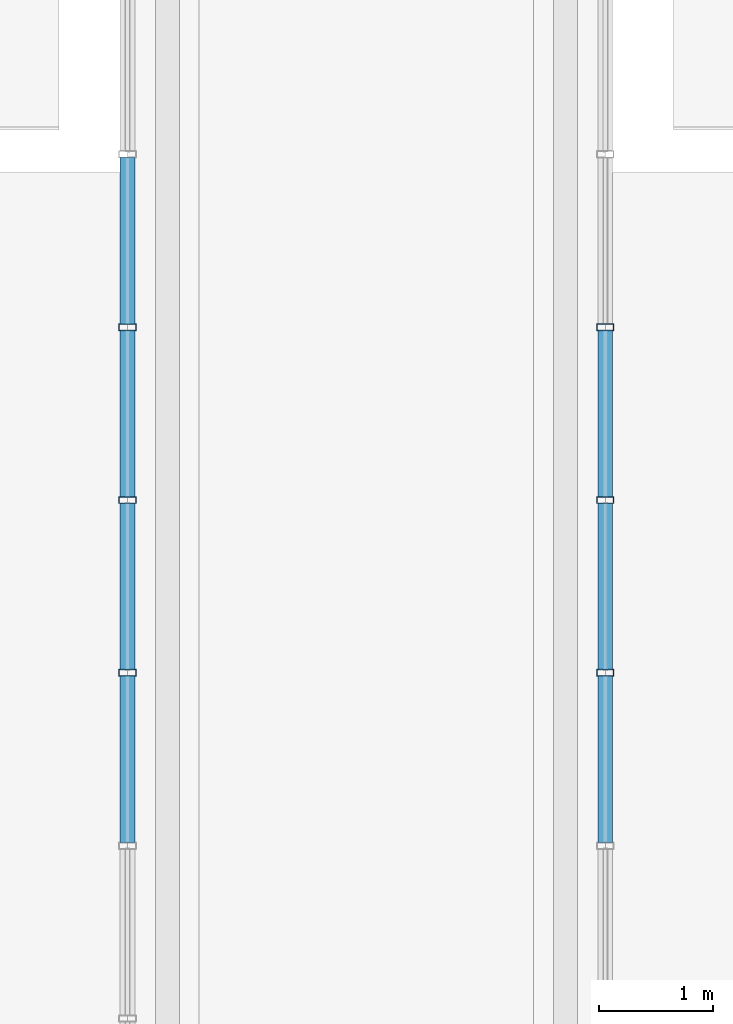
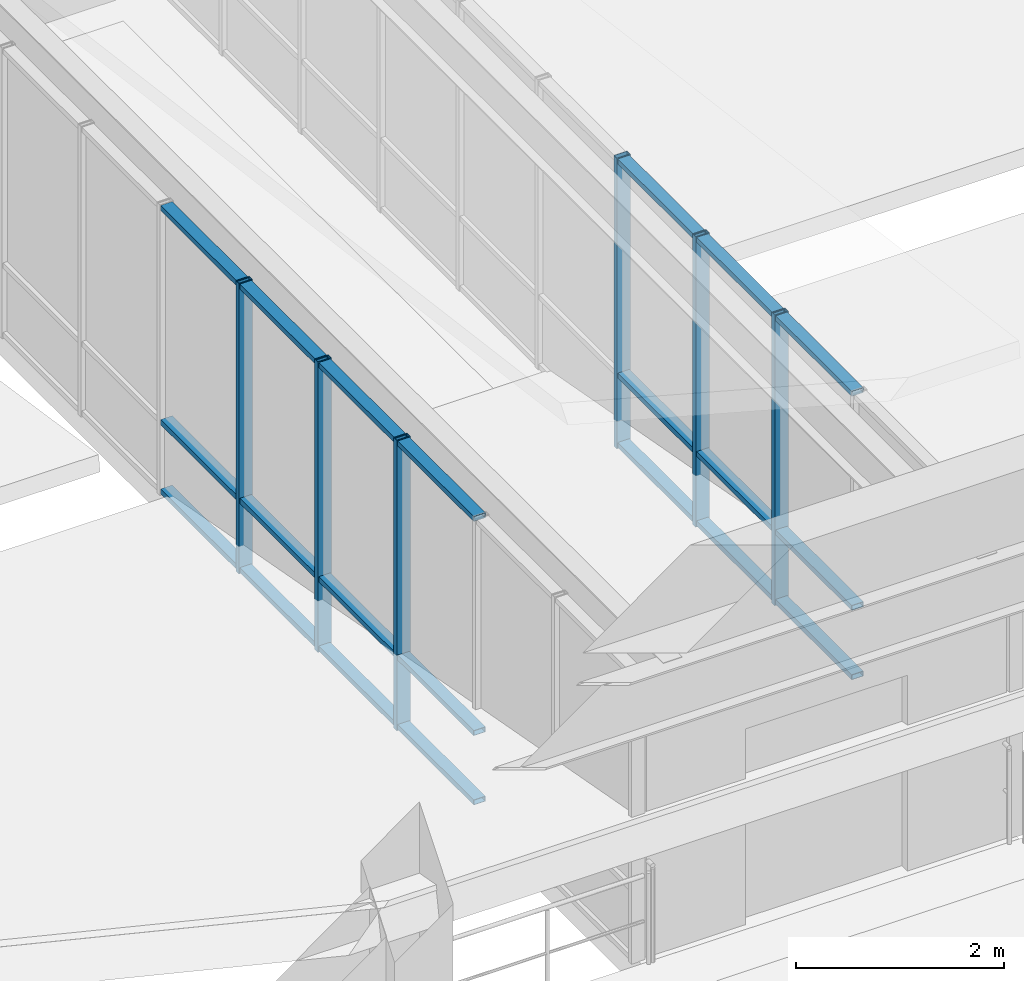
# One storey, part 16 of 104: 27 members, 2 elements without a shape of their own.
"""IFC4 building model written with IfcOpenShell, lengths in metres."""

from ifc_helpers import new_model, si_unit, direction, frame, origin, origin_2d, place, context, subcontext, project, spatial, hollow_rectangle, extrude, material, layer, layer_set, material_profile, profile_set, type_object, element, aggregate, save


model = new_model("IFC4")

# Units and contexts
model_context = context("Model", 3, precision=1e-05, world=origin(), true_north=direction((0.0, 1.0)))
body_context = subcontext(model_context, "Body", "Model", "MODEL_VIEW")
ifc_project = project(units=[si_unit("LENGTHUNIT", "METRE"), si_unit("AREAUNIT", "SQUARE_METRE"), si_unit("VOLUMEUNIT", "CUBIC_METRE"), si_unit("PLANEANGLEUNIT", "RADIAN"), si_unit("MASSUNIT", "GRAM", prefix="KILO")], contexts=[model_context])

# Site, building, storey
site_placement = place(None, origin())
site = spatial("IfcSite", under=ifc_project, at=site_placement, CompositionType="ELEMENT")
building_placement = place(site_placement, origin())
building = spatial("IfcBuilding", under=site, at=building_placement, Name="Ventoquebrada Cableway Terminal", CompositionType="ELEMENT")
storey_placement = place(building_placement, frame((0.0, 0.0, 4.800048828125)))
storey = spatial("IfcBuildingStorey", under=building, at=storey_placement, Name="L01", CompositionType="ELEMENT", Elevation=4.800048828125)

# Curtain wall, members
ifc_material = material(Name="Anodized thermally-broken aluminium", Category="aluminium")
ifc_layer = layer(ifc_material, 0.159912109375)
ifc_layer_set = layer_set([ifc_layer], Name="Anodized thermally-broken aluminium")
curtain_wall_type = type_object("IfcCurtainWallType", Name="CW-T51", PredefinedType="USERDEFINED", material=ifc_layer_set)
curtain_wall_1_placement = place(storey_placement, origin())
curtain_wall_1 = element("IfcCurtainWall", 1, at=curtain_wall_1_placement, inside=storey, type_object=curtain_wall_type, Name="Unitised glazed curtain wall CW-169", ObjectType="UNITISED CURTAIN WALL", PredefinedType="USERDEFINED")
ifc_material_profile_1 = material_profile(ifc_material, hollow_rectangle(XDim=0.06005859375, YDim=0.14990234375, WallThickness=0.00390625, at=origin_2d()), Name="CW-MUL-60X150")
ifc_profile_set_1 = profile_set([ifc_material_profile_1], Name="Anodized thermally-broken aluminium")
member_type_1 = type_object("IfcMemberType", Name="CWM-03", PredefinedType="MULLION", material=ifc_profile_set_1)
member_1_placement = place(storey_placement, frame((19.800048828125, 51.60205078125, -0.008056640625), z_axis=(0.0, 0.0, 1.0), x_axis=(0.0, 1.0, 0.0)))
member_1 = element("IfcMember", 2, at=member_1_placement, type_object=member_type_1, Name="Curtain wall mullion FML-0821", PredefinedType="MULLION", context=body_context, shape_type="SweptSolid", body=[
    extrude(hollow_rectangle(XDim=0.06005859375, YDim=0.14990234375, WallThickness=0.00390625, at=origin_2d()), origin(), (0.0, 0.0, 1.0), 3.4130859375),
])
member_2_placement = place(storey_placement, frame((19.800048828125, 53.12109375, -0.008056640625), z_axis=(0.0, 0.0, 1.0), x_axis=(0.0, 1.0, 0.0)))
member_2 = element("IfcMember", 3, at=member_2_placement, type_object=member_type_1, Name="Curtain wall mullion FML-0822", PredefinedType="MULLION", context=body_context, shape_type="SweptSolid", body=[
    extrude(hollow_rectangle(XDim=0.06005859375, YDim=0.14990234375, WallThickness=0.00390625, at=origin_2d()), origin(), (0.0, 0.0, 1.0), 3.4130859375),
])
member_3_placement = place(storey_placement, frame((19.800048828125, 54.639892578125, -0.008056640625), z_axis=(0.0, 0.0, 1.0), x_axis=(0.0, 1.0, 0.0)))
member_3 = element("IfcMember", 4, at=member_3_placement, type_object=member_type_1, Name="Curtain wall mullion FML-0823", PredefinedType="MULLION", context=body_context, shape_type="SweptSolid", body=[
    extrude(hollow_rectangle(XDim=0.06005859375, YDim=0.14990234375, WallThickness=0.00390625, at=origin_2d()), origin(), (0.0, 0.0, 1.0), 3.4130859375),
])

curtain_wall_2_placement = place(storey_placement, origin())
curtain_wall_2 = element("IfcCurtainWall", 5, at=curtain_wall_2_placement, inside=storey, type_object=curtain_wall_type, Name="Unitised glazed curtain wall CW-170", ObjectType="UNITISED CURTAIN WALL", PredefinedType="USERDEFINED")
member_4_placement = place(storey_placement, frame((24.0, 54.639892578125, -0.008056640625), z_axis=(0.0, 0.0, 1.0), x_axis=(0.0, -1.0, 0.0)))
member_4 = element("IfcMember", 6, at=member_4_placement, type_object=member_type_1, Name="Curtain wall mullion FML-0836", PredefinedType="MULLION", context=body_context, shape_type="SweptSolid", body=[
    extrude(hollow_rectangle(XDim=0.06005859375, YDim=0.14990234375, WallThickness=0.00390625, at=origin_2d()), origin(), (0.0, 0.0, 1.0), 3.4130859375),
])
member_5_placement = place(storey_placement, frame((24.0, 53.12109375, -0.008056640625), z_axis=(0.0, 0.0, 1.0), x_axis=(0.0, -1.0, 0.0)))
member_5 = element("IfcMember", 7, at=member_5_placement, type_object=member_type_1, Name="Curtain wall mullion FML-0837", PredefinedType="MULLION", context=body_context, shape_type="SweptSolid", body=[
    extrude(hollow_rectangle(XDim=0.06005859375, YDim=0.14990234375, WallThickness=0.00390625, at=origin_2d()), origin(), (0.0, 0.0, 1.0), 3.4130859375),
])
member_6_placement = place(storey_placement, frame((24.0, 51.60205078125, -0.008056640625), z_axis=(0.0, 0.0, 1.0), x_axis=(0.0, -1.0, 0.0)))
member_6 = element("IfcMember", 8, at=member_6_placement, type_object=member_type_1, Name="Curtain wall mullion FML-0838", PredefinedType="MULLION", context=body_context, shape_type="SweptSolid", body=[
    extrude(hollow_rectangle(XDim=0.06005859375, YDim=0.14990234375, WallThickness=0.00390625, at=origin_2d()), origin(), (0.0, 0.0, 1.0), 3.4130859375),
])

# Member
ifc_material_profile_2 = material_profile(ifc_material, hollow_rectangle(XDim=0.06005859375, YDim=0.1298828125, WallThickness=0.00390625, at=origin_2d()), Name="CW-TRN-60X130")
ifc_profile_set_2 = profile_set([ifc_material_profile_2], Name="Anodized thermally-broken aluminium")
member_type_2 = type_object("IfcMemberType", Name="CWT-02", PredefinedType="USERDEFINED", material=ifc_profile_set_2)
member_7_placement = place(storey_placement, frame((19.800048828125, 50.10791015625, 0.034912109375), z_axis=(0.0, 1.0, 0.0), x_axis=(0.0, 0.0, 1.0)))
member_7 = element("IfcMember", 9, at=member_7_placement, type_object=member_type_2, Name="Curtain wall transom FTR-2402", ObjectType="TRANSOM", PredefinedType="USERDEFINED", context=body_context, shape_type="SweptSolid", body=[
    extrude(hollow_rectangle(XDim=0.06005859375, YDim=0.1298828125, WallThickness=0.00390625, at=origin_2d()), origin(), (0.0, 0.0, 1.0), 1.468994140625),
])

member_8_placement = place(storey_placement, frame((19.800048828125, 50.10791015625, 0.849853515625), z_axis=(0.0, 1.0, 0.0), x_axis=(0.0, 0.0, 1.0)))
member_8 = element("IfcMember", 10, at=member_8_placement, type_object=member_type_2, Name="Curtain wall transom FTR-2403", ObjectType="TRANSOM", PredefinedType="USERDEFINED", context=body_context, shape_type="SweptSolid", body=[
    extrude(hollow_rectangle(XDim=0.06005859375, YDim=0.1298828125, WallThickness=0.00390625, at=origin_2d()), origin(), (0.0, 0.0, 1.0), 1.468994140625),
])

member_9_placement = place(storey_placement, frame((19.800048828125, 50.10791015625, 3.364990234375), z_axis=(0.0, 1.0, 0.0), x_axis=(0.0, 0.0, 1.0)))
member_9 = element("IfcMember", 11, at=member_9_placement, type_object=member_type_2, Name="Curtain wall transom FTR-2404", ObjectType="TRANSOM", PredefinedType="USERDEFINED", context=body_context, shape_type="SweptSolid", body=[
    extrude(hollow_rectangle(XDim=0.06005859375, YDim=0.1298828125, WallThickness=0.00390625, at=origin_2d()), origin(), (0.0, 0.0, 1.0), 1.468994140625),
])

member_10_placement = place(storey_placement, frame((19.800048828125, 51.626953125, 0.034912109375), z_axis=(0.0, 1.0, 0.0), x_axis=(0.0, 0.0, 1.0)))
member_10 = element("IfcMember", 12, at=member_10_placement, type_object=member_type_2, Name="Curtain wall transom FTR-2405", ObjectType="TRANSOM", PredefinedType="USERDEFINED", context=body_context, shape_type="SweptSolid", body=[
    extrude(hollow_rectangle(XDim=0.06005859375, YDim=0.1298828125, WallThickness=0.00390625, at=origin_2d()), origin(), (0.0, 0.0, 1.0), 1.468994140625),
])

member_11_placement = place(storey_placement, frame((19.800048828125, 51.626953125, 0.849853515625), z_axis=(0.0, 1.0, 0.0), x_axis=(0.0, 0.0, 1.0)))
member_11 = element("IfcMember", 13, at=member_11_placement, type_object=member_type_2, Name="Curtain wall transom FTR-2406", ObjectType="TRANSOM", PredefinedType="USERDEFINED", context=body_context, shape_type="SweptSolid", body=[
    extrude(hollow_rectangle(XDim=0.06005859375, YDim=0.1298828125, WallThickness=0.00390625, at=origin_2d()), origin(), (0.0, 0.0, 1.0), 1.468994140625),
])

member_12_placement = place(storey_placement, frame((19.800048828125, 51.626953125, 3.364990234375), z_axis=(0.0, 1.0, 0.0), x_axis=(0.0, 0.0, 1.0)))
member_12 = element("IfcMember", 14, at=member_12_placement, type_object=member_type_2, Name="Curtain wall transom FTR-2407", ObjectType="TRANSOM", PredefinedType="USERDEFINED", context=body_context, shape_type="SweptSolid", body=[
    extrude(hollow_rectangle(XDim=0.06005859375, YDim=0.1298828125, WallThickness=0.00390625, at=origin_2d()), origin(), (0.0, 0.0, 1.0), 1.468994140625),
])

member_13_placement = place(storey_placement, frame((19.800048828125, 53.14599609375, 0.034912109375), z_axis=(0.0, 1.0, 0.0), x_axis=(0.0, 0.0, 1.0)))
member_13 = element("IfcMember", 15, at=member_13_placement, type_object=member_type_2, Name="Curtain wall transom FTR-2408", ObjectType="TRANSOM", PredefinedType="USERDEFINED", context=body_context, shape_type="SweptSolid", body=[
    extrude(hollow_rectangle(XDim=0.06005859375, YDim=0.1298828125, WallThickness=0.00390625, at=origin_2d()), origin(), (0.0, 0.0, 1.0), 1.468994140625),
])

member_14_placement = place(storey_placement, frame((19.800048828125, 53.14599609375, 0.849853515625), z_axis=(0.0, 1.0, 0.0), x_axis=(0.0, 0.0, 1.0)))
member_14 = element("IfcMember", 16, at=member_14_placement, type_object=member_type_2, Name="Curtain wall transom FTR-2409", ObjectType="TRANSOM", PredefinedType="USERDEFINED", context=body_context, shape_type="SweptSolid", body=[
    extrude(hollow_rectangle(XDim=0.06005859375, YDim=0.1298828125, WallThickness=0.00390625, at=origin_2d()), origin(), (0.0, 0.0, 1.0), 1.468994140625),
])

member_15_placement = place(storey_placement, frame((19.800048828125, 53.14599609375, 3.364990234375), z_axis=(0.0, 1.0, 0.0), x_axis=(0.0, 0.0, 1.0)))
member_15 = element("IfcMember", 17, at=member_15_placement, type_object=member_type_2, Name="Curtain wall transom FTR-2410", ObjectType="TRANSOM", PredefinedType="USERDEFINED", context=body_context, shape_type="SweptSolid", body=[
    extrude(hollow_rectangle(XDim=0.06005859375, YDim=0.1298828125, WallThickness=0.00390625, at=origin_2d()), origin(), (0.0, 0.0, 1.0), 1.468994140625),
])

member_16_placement = place(storey_placement, frame((19.800048828125, 54.6650390625, 0.034912109375), z_axis=(0.0, 1.0, 0.0), x_axis=(0.0, 0.0, 1.0)))
member_16 = element("IfcMember", 18, at=member_16_placement, type_object=member_type_2, Name="Curtain wall transom FTR-2411", ObjectType="TRANSOM", PredefinedType="USERDEFINED", context=body_context, shape_type="SweptSolid", body=[
    extrude(hollow_rectangle(XDim=0.06005859375, YDim=0.1298828125, WallThickness=0.00390625, at=origin_2d()), origin(), (0.0, 0.0, 1.0), 1.469970703125),
])

member_17_placement = place(storey_placement, frame((19.800048828125, 54.6650390625, 0.849853515625), z_axis=(0.0, 1.0, 0.0), x_axis=(0.0, 0.0, 1.0)))
member_17 = element("IfcMember", 19, at=member_17_placement, type_object=member_type_2, Name="Curtain wall transom FTR-2412", ObjectType="TRANSOM", PredefinedType="USERDEFINED", context=body_context, shape_type="SweptSolid", body=[
    extrude(hollow_rectangle(XDim=0.06005859375, YDim=0.1298828125, WallThickness=0.00390625, at=origin_2d()), origin(), (0.0, 0.0, 1.0), 1.469970703125),
])

member_18_placement = place(storey_placement, frame((19.800048828125, 54.6650390625, 3.364990234375), z_axis=(0.0, 1.0, 0.0), x_axis=(0.0, 0.0, 1.0)))
member_18 = element("IfcMember", 20, at=member_18_placement, type_object=member_type_2, Name="Curtain wall transom FTR-2413", ObjectType="TRANSOM", PredefinedType="USERDEFINED", context=body_context, shape_type="SweptSolid", body=[
    extrude(hollow_rectangle(XDim=0.06005859375, YDim=0.1298828125, WallThickness=0.00390625, at=origin_2d()), origin(), (0.0, 0.0, 1.0), 1.469970703125),
])

aggregate(curtain_wall_1, [member_1, member_2, member_3, member_7, member_8, member_9, member_10, member_11, member_12, member_13, member_14, member_15, member_16, member_17, member_18])

member_19_placement = place(storey_placement, frame((24.0, 54.614990234375, 0.034912109375), z_axis=(0.0, -1.0, 0.0), x_axis=(0.0, 0.0, 1.0)))
member_19 = element("IfcMember", 21, at=member_19_placement, type_object=member_type_2, Name="Curtain wall transom FTR-2447", ObjectType="TRANSOM", PredefinedType="USERDEFINED", context=body_context, shape_type="SweptSolid", body=[
    extrude(hollow_rectangle(XDim=0.06005859375, YDim=0.1298828125, WallThickness=0.00390625, at=origin_2d()), origin(), (0.0, 0.0, 1.0), 1.468994140625),
])

member_20_placement = place(storey_placement, frame((24.0, 54.614990234375, 0.849853515625), z_axis=(0.0, -1.0, 0.0), x_axis=(0.0, 0.0, 1.0)))
member_20 = element("IfcMember", 22, at=member_20_placement, type_object=member_type_2, Name="Curtain wall transom FTR-2448", ObjectType="TRANSOM", PredefinedType="USERDEFINED", context=body_context, shape_type="SweptSolid", body=[
    extrude(hollow_rectangle(XDim=0.06005859375, YDim=0.1298828125, WallThickness=0.00390625, at=origin_2d()), origin(), (0.0, 0.0, 1.0), 1.468994140625),
])

member_21_placement = place(storey_placement, frame((24.0, 54.614990234375, 3.364990234375), z_axis=(0.0, -1.0, 0.0), x_axis=(0.0, 0.0, 1.0)))
member_21 = element("IfcMember", 23, at=member_21_placement, type_object=member_type_2, Name="Curtain wall transom FTR-2449", ObjectType="TRANSOM", PredefinedType="USERDEFINED", context=body_context, shape_type="SweptSolid", body=[
    extrude(hollow_rectangle(XDim=0.06005859375, YDim=0.1298828125, WallThickness=0.00390625, at=origin_2d()), origin(), (0.0, 0.0, 1.0), 1.468994140625),
])

member_22_placement = place(storey_placement, frame((24.0, 53.095947265625, 0.034912109375), z_axis=(0.0, -1.0, 0.0), x_axis=(0.0, 0.0, 1.0)))
member_22 = element("IfcMember", 24, at=member_22_placement, type_object=member_type_2, Name="Curtain wall transom FTR-2450", ObjectType="TRANSOM", PredefinedType="USERDEFINED", context=body_context, shape_type="SweptSolid", body=[
    extrude(hollow_rectangle(XDim=0.06005859375, YDim=0.1298828125, WallThickness=0.00390625, at=origin_2d()), origin(), (0.0, 0.0, 1.0), 1.468994140625),
])

member_23_placement = place(storey_placement, frame((24.0, 53.095947265625, 0.849853515625), z_axis=(0.0, -1.0, 0.0), x_axis=(0.0, 0.0, 1.0)))
member_23 = element("IfcMember", 25, at=member_23_placement, type_object=member_type_2, Name="Curtain wall transom FTR-2451", ObjectType="TRANSOM", PredefinedType="USERDEFINED", context=body_context, shape_type="SweptSolid", body=[
    extrude(hollow_rectangle(XDim=0.06005859375, YDim=0.1298828125, WallThickness=0.00390625, at=origin_2d()), origin(), (0.0, 0.0, 1.0), 1.468994140625),
])

member_24_placement = place(storey_placement, frame((24.0, 53.095947265625, 3.364990234375), z_axis=(0.0, -1.0, 0.0), x_axis=(0.0, 0.0, 1.0)))
member_24 = element("IfcMember", 26, at=member_24_placement, type_object=member_type_2, Name="Curtain wall transom FTR-2452", ObjectType="TRANSOM", PredefinedType="USERDEFINED", context=body_context, shape_type="SweptSolid", body=[
    extrude(hollow_rectangle(XDim=0.06005859375, YDim=0.1298828125, WallThickness=0.00390625, at=origin_2d()), origin(), (0.0, 0.0, 1.0), 1.468994140625),
])

member_25_placement = place(storey_placement, frame((24.0, 51.576904296875, 0.034912109375), z_axis=(0.0, -1.0, 0.0), x_axis=(0.0, 0.0, 1.0)))
member_25 = element("IfcMember", 27, at=member_25_placement, type_object=member_type_2, Name="Curtain wall transom FTR-2453", ObjectType="TRANSOM", PredefinedType="USERDEFINED", context=body_context, shape_type="SweptSolid", body=[
    extrude(hollow_rectangle(XDim=0.06005859375, YDim=0.1298828125, WallThickness=0.00390625, at=origin_2d()), origin(), (0.0, 0.0, 1.0), 1.468994140625),
])

member_26_placement = place(storey_placement, frame((24.0, 51.576904296875, 0.849853515625), z_axis=(0.0, -1.0, 0.0), x_axis=(0.0, 0.0, 1.0)))
member_26 = element("IfcMember", 28, at=member_26_placement, type_object=member_type_2, Name="Curtain wall transom FTR-2454", ObjectType="TRANSOM", PredefinedType="USERDEFINED", context=body_context, shape_type="SweptSolid", body=[
    extrude(hollow_rectangle(XDim=0.06005859375, YDim=0.1298828125, WallThickness=0.00390625, at=origin_2d()), origin(), (0.0, 0.0, 1.0), 1.468994140625),
])

member_27_placement = place(storey_placement, frame((24.0, 51.576904296875, 3.364990234375), z_axis=(0.0, -1.0, 0.0), x_axis=(0.0, 0.0, 1.0)))
member_27 = element("IfcMember", 29, at=member_27_placement, type_object=member_type_2, Name="Curtain wall transom FTR-2455", ObjectType="TRANSOM", PredefinedType="USERDEFINED", context=body_context, shape_type="SweptSolid", body=[
    extrude(hollow_rectangle(XDim=0.06005859375, YDim=0.1298828125, WallThickness=0.00390625, at=origin_2d()), origin(), (0.0, 0.0, 1.0), 1.468994140625),
])

aggregate(curtain_wall_2, [member_4, member_5, member_6, member_19, member_20, member_21, member_22, member_23, member_24, member_25, member_26, member_27])

save(model, "model.ifc")
